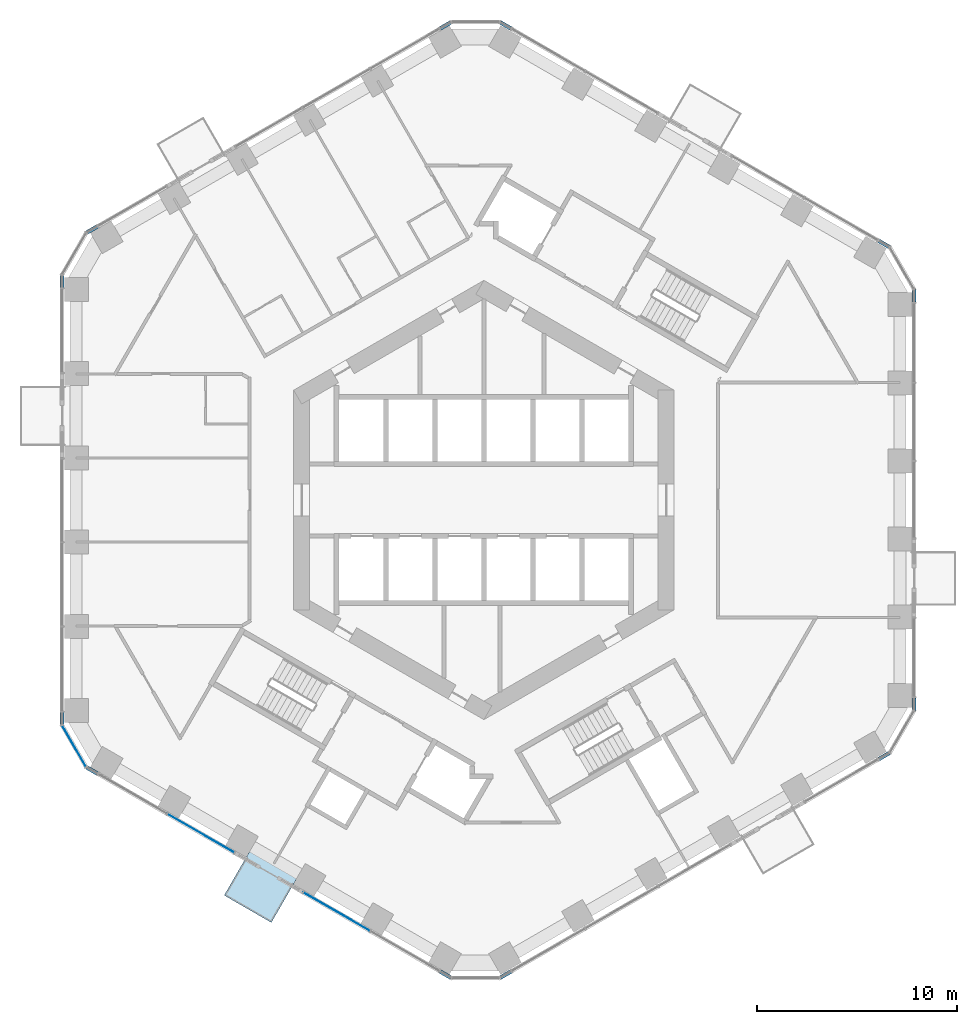
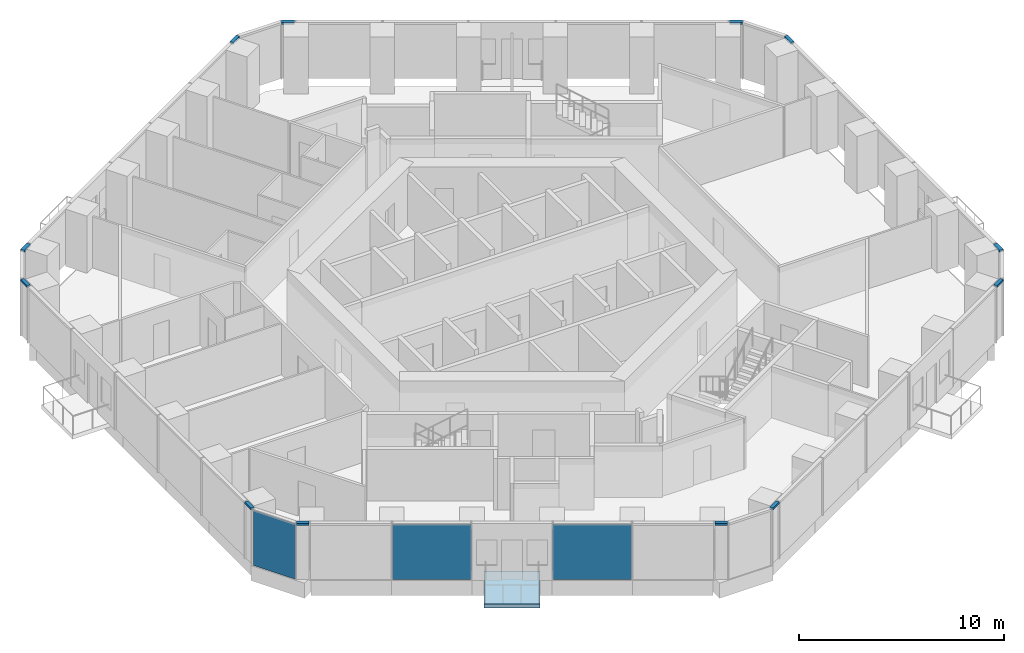
# One storey, part 8 of 20: 12 members, 3 plates, 1 slab, 8 elements without a shape of their own.
"""IFC4 building model written with IfcOpenShell, lengths in metres."""

from ifc_helpers import new_model, si_unit, direction, frame, origin, origin_2d, place, context, subcontext, project, spatial, polyline, rectangle, outline, extrude, material, layer, layer_set, material_profile, profile_set, type_object, element, aggregate, save


model = new_model("IFC4")

# Units and contexts
model_context = context("Model", 3, precision=1e-05, world=origin(), true_north=direction((0.0, 1.0)))
body_context = subcontext(model_context, "Body", "Model", "MODEL_VIEW")
ifc_project = project(units=[si_unit("LENGTHUNIT", "METRE"), si_unit("AREAUNIT", "SQUARE_METRE"), si_unit("VOLUMEUNIT", "CUBIC_METRE"), si_unit("PLANEANGLEUNIT", "RADIAN"), si_unit("MASSUNIT", "GRAM", prefix="KILO")], contexts=[model_context])

# Site, building, storey
site_placement = place(None, origin())
site = spatial("IfcSite", under=ifc_project, at=site_placement, CompositionType="ELEMENT")
building_placement = place(site_placement, origin())
building = spatial("IfcBuilding", under=site, at=building_placement, Name="Ayvan Gate Tower", CompositionType="ELEMENT")
storey_placement = place(building_placement, frame((0.0, 0.0, 49.300048828125)))
storey = spatial("IfcBuildingStorey", under=building, at=storey_placement, Name="L12", CompositionType="ELEMENT", Elevation=49.300048828125)

# Curtain wall, members
ifc_material_1 = material(Name="Bronze anodised aluminium", Category="aluminium")
ifc_layer_1 = layer(ifc_material_1, 0.199951171875)
ifc_layer_set_1 = layer_set([ifc_layer_1], Name="Bronze anodised aluminium")
curtain_wall_type_1 = type_object("IfcCurtainWallType", Name="Stick curtain wall CW-6", PredefinedType="NOTDEFINED", material=ifc_layer_set_1)
curtain_wall_1_placement = place(storey_placement, origin())
curtain_wall_1 = element("IfcCurtainWall", 1, at=curtain_wall_1_placement, inside=storey, type_object=curtain_wall_type_1, Name="Stick curtain wall CW-6 L12", PredefinedType="NOTDEFINED")
ifc_material_profile = material_profile(ifc_material_1, rectangle(XDim=0.199951171875, YDim=0.1201171875, at=origin_2d()), Name="Stick curtain wall CW-6 transom 200 x 120")
ifc_profile_set = profile_set([ifc_material_profile], Name="Bronze anodised aluminium")
member_type = type_object("IfcMemberType", Name="Stick curtain wall CW-6 transom 200 x 120", PredefinedType="USERDEFINED", material=ifc_profile_set)
member_1_placement = place(storey_placement, frame((-19.299072265625, 13.666015625, 3.33984375), z_axis=(-0.866022959057, -0.500004234368, 0.0), x_axis=(0.500004234368, -0.866022959057, 0.0)))
member_1 = element("IfcMember", 2, at=member_1_placement, type_object=member_type, Name="CW-6 transom 1", ObjectType="TRANSOM", PredefinedType="USERDEFINED", context=body_context, shape_type="SweptSolid", body=[
    extrude(rectangle(XDim=0.199951171875, YDim=0.1201171875, at=origin_2d()), origin(), (0.0, 0.0, 1.0), 0.625),
])
member_2_placement = place(storey_placement, frame((-21.069091796875, 11.224853515625, 3.33984375), z_axis=(0.0, -1.0, 0.0), x_axis=(1.0, 0.0, 0.0)))
member_2 = element("IfcMember", 3, at=member_2_placement, type_object=member_type, Name="CW-6 transom 3", ObjectType="TRANSOM", PredefinedType="USERDEFINED", context=body_context, shape_type="SweptSolid", body=[
    extrude(rectangle(XDim=0.199951171875, YDim=0.1201171875, at=origin_2d()), origin(), (0.0, 0.0, 1.0), 0.625),
])
aggregate(curtain_wall_1, [member_1, member_2])

curtain_wall_2_placement = place(storey_placement, origin())
curtain_wall_2 = element("IfcCurtainWall", 4, at=curtain_wall_2_placement, inside=storey, type_object=curtain_wall_type_1, Name="Stick curtain wall CW-6 L12", PredefinedType="NOTDEFINED")
member_3_placement = place(storey_placement, frame((-21.069091796875, -10.599853515625, 3.33984375), z_axis=(0.0, -1.0, 0.0), x_axis=(1.0, 0.0, 0.0)))
member_3 = element("IfcMember", 5, at=member_3_placement, type_object=member_type, Name="CW-6 transom 1", ObjectType="TRANSOM", PredefinedType="USERDEFINED", context=body_context, shape_type="SweptSolid", body=[
    extrude(rectangle(XDim=0.199951171875, YDim=0.1201171875, at=origin_2d()), origin(), (0.0, 0.0, 1.0), 0.625),
])
member_4_placement = place(storey_placement, frame((-19.84033203125, -13.353515625, 3.33984375), z_axis=(0.866022959057, -0.500004234368, 0.0), x_axis=(0.500004234368, 0.866022959057, 0.0)))
member_4 = element("IfcMember", 6, at=member_4_placement, type_object=member_type, Name="CW-6 transom 3", ObjectType="TRANSOM", PredefinedType="USERDEFINED", context=body_context, shape_type="SweptSolid", body=[
    extrude(rectangle(XDim=0.199951171875, YDim=0.1201171875, at=origin_2d()), origin(), (0.0, 0.0, 1.0), 0.625),
])

curtain_wall_3_placement = place(storey_placement, origin())
curtain_wall_3 = element("IfcCurtainWall", 7, at=curtain_wall_3_placement, inside=storey, type_object=curtain_wall_type_1, Name="Stick curtain wall CW-6 L12", PredefinedType="NOTDEFINED")
member_5_placement = place(storey_placement, frame((-2.185546875, -23.54638671875, 3.33984375), z_axis=(0.866022959057, -0.500004234368, 0.0), x_axis=(0.500004234368, 0.866022959057, 0.0)))
member_5 = element("IfcMember", 8, at=member_5_placement, type_object=member_type, Name="CW-6 transom 1", ObjectType="TRANSOM", PredefinedType="USERDEFINED", context=body_context, shape_type="SweptSolid", body=[
    extrude(rectangle(XDim=0.199951171875, YDim=0.1201171875, at=origin_2d()), origin(), (0.0, 0.0, 1.0), 0.625),
])
member_6_placement = place(storey_placement, frame((0.8134765625, -23.85888671875, 3.33984375), z_axis=(0.866022959057, 0.500004234368, 0.0), x_axis=(-0.500004234368, 0.866022959057, 0.0)))
member_6 = element("IfcMember", 9, at=member_6_placement, type_object=member_type, Name="CW-6 transom 3", ObjectType="TRANSOM", PredefinedType="USERDEFINED", context=body_context, shape_type="SweptSolid", body=[
    extrude(rectangle(XDim=0.199951171875, YDim=0.1201171875, at=origin_2d()), origin(), (0.0, 0.0, 1.0), 0.625),
])
aggregate(curtain_wall_3, [member_5, member_6])

curtain_wall_4_placement = place(storey_placement, origin())
curtain_wall_4 = element("IfcCurtainWall", 10, at=curtain_wall_4_placement, inside=storey, type_object=curtain_wall_type_1, Name="Stick curtain wall CW-6 L12", PredefinedType="NOTDEFINED")
member_7_placement = place(storey_placement, frame((19.71435546875, -12.946533203125, 3.33984375), z_axis=(0.866022959057, 0.500004234368, 0.0), x_axis=(-0.500004234368, 0.866022959057, 0.0)))
member_7 = element("IfcMember", 11, at=member_7_placement, type_object=member_type, Name="CW-6 transom 1", ObjectType="TRANSOM", PredefinedType="USERDEFINED", context=body_context, shape_type="SweptSolid", body=[
    extrude(rectangle(XDim=0.199951171875, YDim=0.1201171875, at=origin_2d()), origin(), (0.0, 0.0, 1.0), 0.625),
])
member_8_placement = place(storey_placement, frame((21.484619140625, -10.50537109375, 3.33984375), z_axis=(0.0, 1.0, 0.0), x_axis=(-1.0, 0.0, 0.0)))
member_8 = element("IfcMember", 12, at=member_8_placement, type_object=member_type, Name="CW-6 transom 3", ObjectType="TRANSOM", PredefinedType="USERDEFINED", context=body_context, shape_type="SweptSolid", body=[
    extrude(rectangle(XDim=0.199951171875, YDim=0.1201171875, at=origin_2d()), origin(), (0.0, 0.0, 1.0), 0.625),
])
aggregate(curtain_wall_4, [member_7, member_8])

curtain_wall_5_placement = place(storey_placement, origin())
curtain_wall_5 = element("IfcCurtainWall", 13, at=curtain_wall_5_placement, inside=storey, type_object=curtain_wall_type_1, Name="Stick curtain wall CW-6 L12", PredefinedType="NOTDEFINED")
member_9_placement = place(storey_placement, frame((21.484619140625, 9.88037109375, 3.33984375), z_axis=(0.0, 1.0, 0.0), x_axis=(-1.0, 0.0, 0.0)))
member_9 = element("IfcMember", 14, at=member_9_placement, type_object=member_type, Name="CW-6 transom 1", ObjectType="TRANSOM", PredefinedType="USERDEFINED", context=body_context, shape_type="SweptSolid", body=[
    extrude(rectangle(XDim=0.199951171875, YDim=0.1201171875, at=origin_2d()), origin(), (0.0, 0.0, 1.0), 0.625),
])
member_10_placement = place(storey_placement, frame((20.255615234375, 12.634033203125, 3.33984375), z_axis=(-0.866022959057, 0.500004234368, 0.0), x_axis=(-0.500004234368, -0.866022959057, 0.0)))
member_10 = element("IfcMember", 15, at=member_10_placement, type_object=member_type, Name="CW-6 transom 3", ObjectType="TRANSOM", PredefinedType="USERDEFINED", context=body_context, shape_type="SweptSolid", body=[
    extrude(rectangle(XDim=0.199951171875, YDim=0.1201171875, at=origin_2d()), origin(), (0.0, 0.0, 1.0), 0.625),
])
aggregate(curtain_wall_5, [member_9, member_10])

curtain_wall_6_placement = place(storey_placement, origin())
curtain_wall_6 = element("IfcCurtainWall", 16, at=curtain_wall_6_placement, inside=storey, type_object=curtain_wall_type_1, Name="Stick curtain wall CW-6 L12", PredefinedType="NOTDEFINED")
member_11_placement = place(storey_placement, frame((1.354736328125, 23.54638671875, 3.33984375), z_axis=(-0.866022959057, 0.500004234368, 0.0), x_axis=(-0.500004234368, -0.866022959057, 0.0)))
member_11 = element("IfcMember", 17, at=member_11_placement, type_object=member_type, Name="CW-6 transom 1", ObjectType="TRANSOM", PredefinedType="USERDEFINED", context=body_context, shape_type="SweptSolid", body=[
    extrude(rectangle(XDim=0.199951171875, YDim=0.1201171875, at=origin_2d()), origin(), (0.0, 0.0, 1.0), 0.625),
])
member_12_placement = place(storey_placement, frame((-1.644287109375, 23.85888671875, 3.33984375), z_axis=(-0.866022959057, -0.500004234368, 0.0), x_axis=(0.500004234368, -0.866022959057, 0.0)))
member_12 = element("IfcMember", 18, at=member_12_placement, type_object=member_type, Name="CW-6 transom 3", ObjectType="TRANSOM", PredefinedType="USERDEFINED", context=body_context, shape_type="SweptSolid", body=[
    extrude(rectangle(XDim=0.199951171875, YDim=0.1201171875, at=origin_2d()), origin(), (0.0, 0.0, 1.0), 0.625),
])
aggregate(curtain_wall_6, [member_11, member_12])

# Slab
ifc_material_2 = material(Name="Concrete C40/50", Category="concrete")
ifc_layer_2 = layer(ifc_material_2, 0.25)
ifc_layer_set_2 = layer_set([ifc_layer_2], Name="Concrete C40/50")
slab_type = type_object("IfcSlabType", Name="Balcony slab 250", PredefinedType="FLOOR", material=ifc_layer_set_2)
slab_placement = place(storey_placement, frame((0.0, 0.0, -0.25)))
element("IfcSlab", 19, at=slab_placement, inside=storey, type_object=slab_type, Name="Balcony slab BAL-L12-4", PredefinedType="FLOOR", context=body_context, shape_type="SweptSolid", body=[
    extrude(outline(polyline([(-11.568115234375, -17.3212890625), (-9.216552734375, -18.6787109375), (-10.616455078125, -21.103759765625), (-12.968017578125, -19.74609375), (-11.568115234375, -17.3212890625)])), origin(), (0.0, 0.0, 1.0), 0.25),
])

# Curtain wall, plate
ifc_layer_3 = layer(ifc_material_1, 0.199951171875)
ifc_layer_set_3 = layer_set([ifc_layer_3], Name="Bronze anodised aluminium")
curtain_wall_type_2 = type_object("IfcCurtainWallType", Name="Stick curtain wall CW-1", PredefinedType="NOTDEFINED", material=ifc_layer_set_3)
curtain_wall_7_placement = place(storey_placement, origin())
curtain_wall_7 = element("IfcCurtainWall", 20, at=curtain_wall_7_placement, inside=storey, type_object=curtain_wall_type_2, Name="Stick curtain wall CW-1 L12", PredefinedType="NOTDEFINED")
ifc_material_3 = material(Name="Clear low-iron laminated glass", Category="glass")
ifc_layer_4 = layer(ifc_material_3, 0.028076171875)
ifc_layer_set_4 = layer_set([ifc_layer_4], Name="Clear low-iron laminated glass")
plate_type_1 = type_object("IfcPlateType", Name="Stick curtain wall CW-1 glass panel", PredefinedType="CURTAIN_PANEL", material=ifc_layer_set_4)
plate_1_placement = place(storey_placement, frame((-14.12109375, -16.655517578125, 0.0), z_axis=(0.0, 0.0, 1.0), x_axis=(0.866025403784, -0.5, 0.0)))
plate_1 = element("IfcPlate", 21, at=plate_1_placement, type_object=plate_type_1, Name="CW-1 glass panel 2", PredefinedType="CURTAIN_PANEL", context=body_context, shape_type="SweptSolid", body=[
    extrude(rectangle(XDim=3.842041015625, YDim=0.028076171875, at=origin_2d()), origin(), (0.0, 0.0, 1.0), 3.280029296875),
])
aggregate(curtain_wall_7, [plate_1])

curtain_wall_8_placement = place(storey_placement, origin())
curtain_wall_8 = element("IfcCurtainWall", 22, at=curtain_wall_8_placement, inside=storey, type_object=curtain_wall_type_2, Name="Stick curtain wall CW-1 L12", PredefinedType="NOTDEFINED")
plate_2_placement = place(storey_placement, frame((-7.363525390625, -20.55712890625, 0.0), z_axis=(0.0, 0.0, 1.0), x_axis=(0.866025403784, -0.5, 0.0)))
plate_2 = element("IfcPlate", 23, at=plate_2_placement, type_object=plate_type_1, Name="CW-1 glass panel 1", PredefinedType="CURTAIN_PANEL", context=body_context, shape_type="SweptSolid", body=[
    extrude(rectangle(XDim=3.842041015625, YDim=0.028076171875, at=origin_2d()), origin(), (0.0, 0.0, 1.0), 3.280029296875),
])
aggregate(curtain_wall_8, [plate_2])

# Plate
ifc_layer_5 = layer(ifc_material_3, 0.028076171875)
ifc_layer_set_5 = layer_set([ifc_layer_5], Name="Clear low-iron laminated glass")
plate_type_2 = type_object("IfcPlateType", Name="Stick curtain wall CW-6 glass panel", PredefinedType="CURTAIN_PANEL", material=ifc_layer_set_5)
plate_3_placement = place(storey_placement, frame((-20.465576171875, -12.29541015625, 0.0), z_axis=(0.0, 0.0, 1.0), x_axis=(0.5, -0.866025403784, 0.0)))
plate_3 = element("IfcPlate", 24, at=plate_3_placement, type_object=plate_type_2, Name="CW-6 glass panel 2", PredefinedType="CURTAIN_PANEL", context=body_context, shape_type="SweptSolid", body=[
    extrude(rectangle(XDim=2.364501953125, YDim=0.028076171875, at=origin_2d()), origin(), (0.0, 0.0, 1.0), 3.280029296875),
])

aggregate(curtain_wall_2, [member_3, member_4, plate_3])

save(model, "model.ifc")
